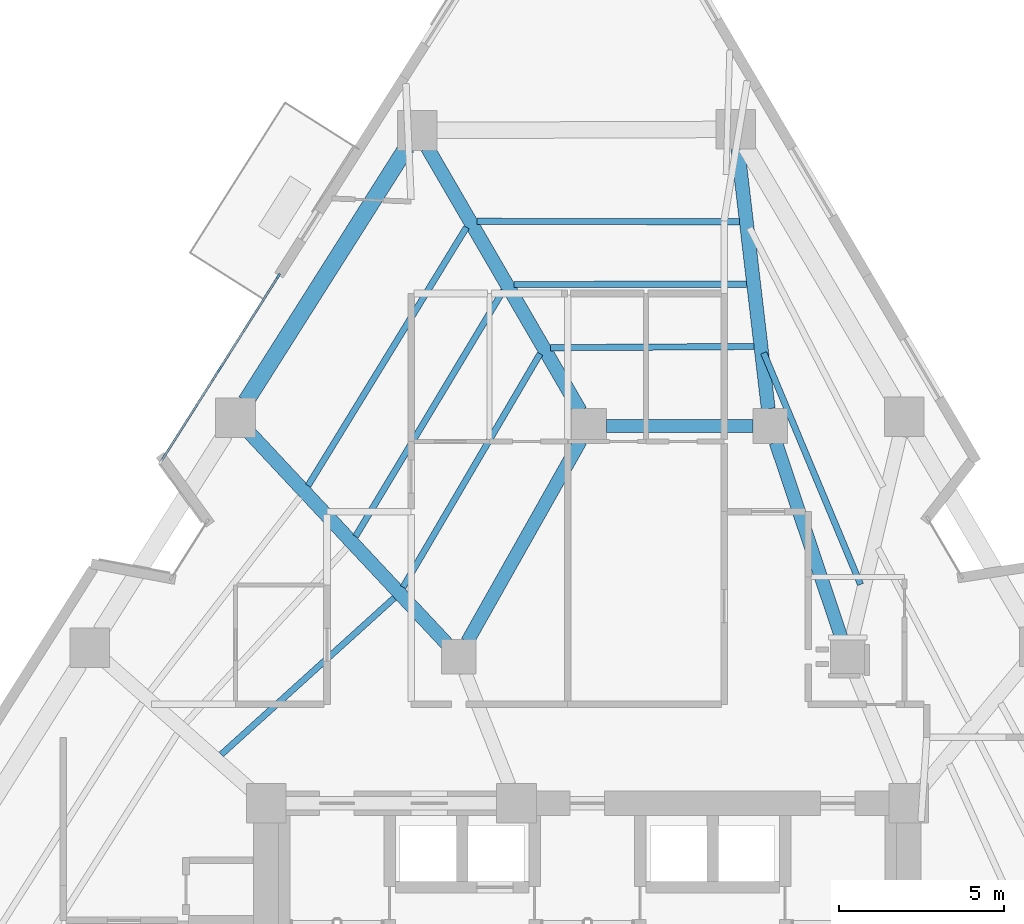
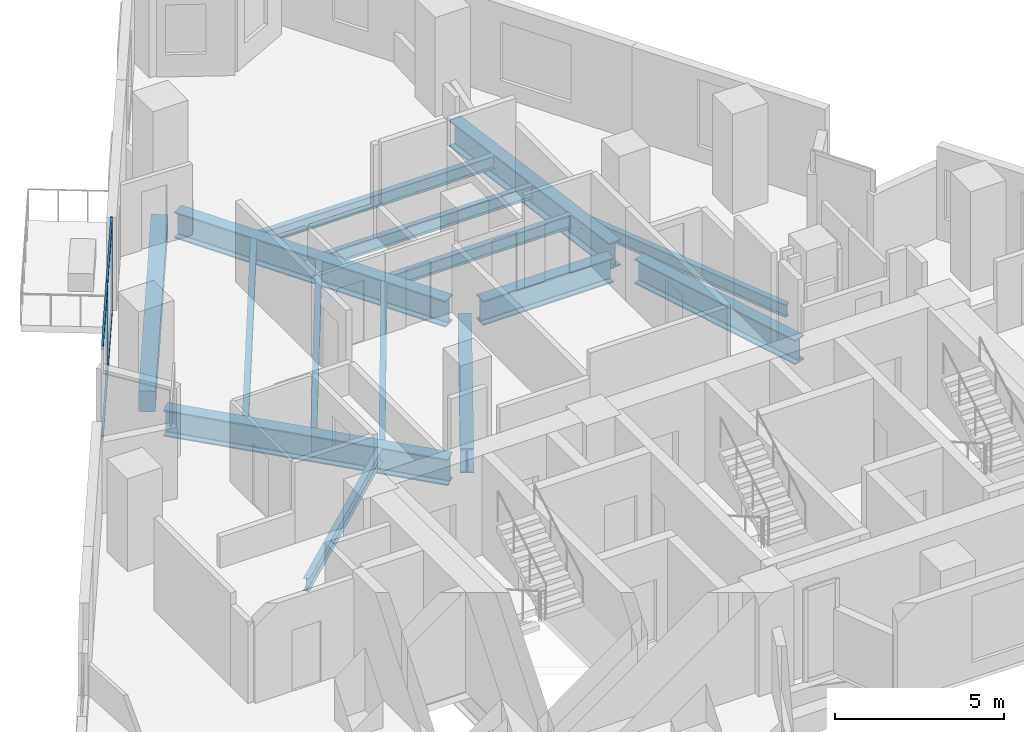
# One storey, part 3 of 11: 15 beams, 6 members, 1 element without a shape of its own.
"""IFC4 building model written with IfcOpenShell, lengths in metres."""

from ifc_helpers import new_model, si_unit, direction, frame, origin, origin_2d, place, context, subcontext, project, spatial, rectangle, i_section, extrude, material, layer, layer_set, material_profile, profile_set, type_object, element, aggregate, save


model = new_model("IFC4")

# Units and contexts
model_context = context("Model", 3, precision=1e-05, world=origin(), true_north=direction((0.0, 1.0)))
body_context = subcontext(model_context, "Body", "Model", "MODEL_VIEW")
ifc_project = project(units=[si_unit("LENGTHUNIT", "METRE"), si_unit("AREAUNIT", "SQUARE_METRE"), si_unit("VOLUMEUNIT", "CUBIC_METRE"), si_unit("PLANEANGLEUNIT", "RADIAN"), si_unit("MASSUNIT", "GRAM", prefix="KILO")], contexts=[model_context])

# Site, building, storey
site_placement = place(None, origin())
site = spatial("IfcSite", under=ifc_project, at=site_placement, CompositionType="ELEMENT")
building_placement = place(site_placement, origin())
building = spatial("IfcBuilding", under=site, at=building_placement, Name="Almagre Mirador Tower", CompositionType="ELEMENT")
storey_placement = place(building_placement, frame((0.0, 0.0, 128.39990234375)))
storey = spatial("IfcBuildingStorey", under=building, at=storey_placement, Name="L32", CompositionType="ELEMENT", Elevation=128.39990234375)

# Beams
ifc_material_1 = material(Name="Steel ASTM A992 Grade 50", Category="steel")
ifc_material_profile_1 = material_profile(ifc_material_1, i_section(OverallWidth=0.19091796875, OverallDepth=0.4599609375, WebThickness=0.010009765625, FlangeThickness=0.01611328125, FilletRadius=0.01611328125, at=origin_2d()), Name="W18X55")
ifc_profile_set_1 = profile_set([ifc_material_profile_1], Name="Steel ASTM A992 Grade 50")
beam_type_1 = type_object("IfcBeamType", Name="BM-JST-W18X55", PredefinedType="JOIST", material=ifc_profile_set_1)
beam_1_placement = place(storey_placement, frame((45.589111328125, 21.390380859375, -0.47998046875), z_axis=(-0.385893914422, 0.922543162574, 0.0), x_axis=(-0.922543162574, -0.385893914422, 0.0)))
element("IfcBeam", 1, at=beam_1_placement, inside=storey, type_object=beam_type_1, Name="L32 secondary floor joist PC07-PC08.3", PredefinedType="JOIST", context=body_context, shape_type="SweptSolid", body=[
    extrude(i_section(OverallWidth=0.19091796875, OverallDepth=0.4599609375, WebThickness=0.010009765625, FlangeThickness=0.01611328125, FilletRadius=0.01611328125, at=origin_2d()), origin(), (0.0, 0.0, 1.0), 7.617919921875),
])
beam_2_placement = place(storey_placement, frame((41.913330078125, 32.397216796875, -0.47998046875), z_axis=(-0.999998960599, 0.001441804747, 0.0), x_axis=(-0.001441804747, -0.999998960599, 0.0)))
element("IfcBeam", 2, at=beam_2_placement, inside=storey, type_object=beam_type_1, Name="L32 secondary floor joist PC08-PC09.1", PredefinedType="JOIST", context=body_context, shape_type="SweptSolid", body=[
    extrude(i_section(OverallWidth=0.19091796875, OverallDepth=0.4599609375, WebThickness=0.010009765625, FlangeThickness=0.01611328125, FilletRadius=0.01611328125, at=origin_2d()), origin(), (0.0, 0.0, 1.0), 7.95849609375),
])
beam_3_placement = place(storey_placement, frame((42.134765625, 30.504638671875, -0.47998046875), z_axis=(-0.99999819421, -0.00190041466, 0.0), x_axis=(0.00190041466, -0.99999819421, 0.0)))
element("IfcBeam", 3, at=beam_3_placement, inside=storey, type_object=beam_type_1, Name="L32 secondary floor joist PC08-PC09.2", PredefinedType="JOIST", context=body_context, shape_type="SweptSolid", body=[
    extrude(i_section(OverallWidth=0.19091796875, OverallDepth=0.4599609375, WebThickness=0.010009765625, FlangeThickness=0.01611328125, FilletRadius=0.01611328125, at=origin_2d()), origin(), (0.0, 0.0, 1.0), 7.065673828125),
])
beam_4_placement = place(storey_placement, frame((42.356201171875, 28.61181640625, -0.47998046875), z_axis=(-0.999980965144, -0.00617003641, 0.0), x_axis=(0.00617003641, -0.999980965144, 0.0)))
element("IfcBeam", 4, at=beam_4_placement, inside=storey, type_object=beam_type_1, Name="L32 secondary floor joist PC08-PC09.3", PredefinedType="JOIST", context=body_context, shape_type="SweptSolid", body=[
    extrude(i_section(OverallWidth=0.19091796875, OverallDepth=0.4599609375, WebThickness=0.010009765625, FlangeThickness=0.01611328125, FilletRadius=0.01611328125, at=origin_2d()), origin(), (0.0, 0.0, 1.0), 6.172607421875),
])
beam_5_placement = place(storey_placement, frame((33.6328125, 32.228759765625, -0.47998046875), z_axis=(-0.522787398252, -0.852463099629, 0.0), x_axis=(0.852463099629, -0.522787398252, 0.0)))
element("IfcBeam", 5, at=beam_5_placement, inside=storey, type_object=beam_type_1, Name="L32 secondary floor joist PC09-PC10.1", PredefinedType="JOIST", context=body_context, shape_type="SweptSolid", body=[
    extrude(i_section(OverallWidth=0.19091796875, OverallDepth=0.4599609375, WebThickness=0.010009765625, FlangeThickness=0.01611328125, FilletRadius=0.01611328125, at=origin_2d()), origin(), (0.0, 0.0, 1.0), 9.196044921875),
])
beam_6_placement = place(storey_placement, frame((34.748779296875, 30.309326171875, -0.47998046875), z_axis=(-0.515031881697, -0.857171021929, 0.0), x_axis=(0.857171021929, -0.515031881697, 0.0)))
element("IfcBeam", 6, at=beam_6_placement, inside=storey, type_object=beam_type_1, Name="L32 secondary floor joist PC09-PC10.2", PredefinedType="JOIST", context=body_context, shape_type="SweptSolid", body=[
    extrude(i_section(OverallWidth=0.19091796875, OverallDepth=0.4599609375, WebThickness=0.010009765625, FlangeThickness=0.01611328125, FilletRadius=0.01611328125, at=origin_2d()), origin(), (0.0, 0.0, 1.0), 8.7041015625),
])
beam_7_placement = place(storey_placement, frame((35.864990234375, 28.389892578125, -0.47998046875), z_axis=(-0.506354843964, -0.862325212431, 0.0), x_axis=(0.862325212431, -0.506354843964, 0.0)))
element("IfcBeam", 7, at=beam_7_placement, inside=storey, type_object=beam_type_1, Name="L32 secondary floor joist PC09-PC10.3", PredefinedType="JOIST", context=body_context, shape_type="SweptSolid", body=[
    extrude(i_section(OverallWidth=0.19091796875, OverallDepth=0.4599609375, WebThickness=0.010009765625, FlangeThickness=0.01611328125, FilletRadius=0.01611328125, at=origin_2d()), origin(), (0.0, 0.0, 1.0), 8.212890625),
])
beam_8_placement = place(storey_placement, frame((31.4423828125, 20.9833984375, -0.47998046875), z_axis=(-0.74150556393, -0.670946718199, 0.0), x_axis=(0.670946718199, -0.74150556393, 0.0)))
element("IfcBeam", 8, at=beam_8_placement, inside=storey, type_object=beam_type_1, Name="L32 secondary floor joist PC10-PC11.3", PredefinedType="JOIST", context=body_context, shape_type="SweptSolid", body=[
    extrude(i_section(OverallWidth=0.19091796875, OverallDepth=0.4599609375, WebThickness=0.010009765625, FlangeThickness=0.01611328125, FilletRadius=0.01611328125, at=origin_2d()), origin(), (0.0, 0.0, 1.0), 7.082763671875),
])
ifc_material_2 = material(Name="Precast concrete C50/60", Category="concrete")
ifc_material_profile_2 = material_profile(ifc_material_2, rectangle(XDim=0.5, YDim=0.75, at=origin_2d()), Name="RC500X750")
ifc_profile_set_2 = profile_set([ifc_material_profile_2], Name="Precast concrete C50/60")
beam_type_2 = type_object("IfcBeamType", Name="BM-SPN-RC500X750", PredefinedType="SPANDREL", material=ifc_profile_set_2)
beam_9_placement = place(storey_placement, frame((31.821044921875, 34.658935546875, -0.625), z_axis=(-0.534869929659, -0.844934410677, 0.0), x_axis=(0.844934410677, -0.534869929659, 0.0)))
element("IfcBeam", 9, at=beam_9_placement, inside=storey, type_object=beam_type_2, Name="L32 perimeter spandrel beam PC09-PC10", PredefinedType="SPANDREL", context=body_context, shape_type="SweptSolid", body=[
    extrude(rectangle(XDim=0.5, YDim=0.75, at=origin_2d()), origin(), (0.0, 0.0, 1.0), 9.120361328125),
])
ifc_material_3 = material(Name="Steel ASTM A992 Grade 50", Category="steel")
ifc_material_profile_3 = material_profile(ifc_material_3, i_section(OverallWidth=0.404052734375, OverallDepth=0.884033203125, WebThickness=0.0244140625, FlangeThickness=0.0439453125, FilletRadius=0.02490234375, at=origin_2d()), Name="W33X291")
ifc_profile_set_3 = profile_set([ifc_material_profile_3], Name="Steel ASTM A992 Grade 50")
beam_type_3 = type_object("IfcBeamType", Name="BM-STL-W33X291", PredefinedType="BEAM", material=ifc_profile_set_3)
beam_10_placement = place(storey_placement, frame((37.875, 26.199951171875, -0.69189453125), z_axis=(1.0, 0.0, 0.0), x_axis=(0.0, 1.0, 0.0)))
element("IfcBeam", 10, at=beam_10_placement, inside=storey, type_object=beam_type_3, Name="L32 core tie girder MC7-MC6", PredefinedType="BEAM", context=body_context, shape_type="SweptSolid", body=[
    extrude(i_section(OverallWidth=0.404052734375, OverallDepth=0.884033203125, WebThickness=0.0244140625, FlangeThickness=0.0439453125, FilletRadius=0.02490234375, at=origin_2d()), origin(), (0.0, 0.0, 1.0), 4.449951171875),
])
beam_11_placement = place(storey_placement, frame((43.01708984375, 25.702392578125, -0.69189453125), z_axis=(0.318262189587, -0.948002731367, 0.0), x_axis=(0.948002731367, 0.318262189587, 0.0)))
element("IfcBeam", 11, at=beam_11_placement, inside=storey, type_object=beam_type_3, Name="L32 core tie girder MC6-MC5", PredefinedType="BEAM", context=body_context, shape_type="SweptSolid", body=[
    extrude(i_section(OverallWidth=0.404052734375, OverallDepth=0.884033203125, WebThickness=0.0244140625, FlangeThickness=0.0439453125, FilletRadius=0.02490234375, at=origin_2d()), origin(), (0.0, 0.0, 1.0), 6.333984375),
])
beam_12_placement = place(storey_placement, frame((37.092041015625, 25.742919921875, -0.69189453125), z_axis=(-0.491443510044, -0.870909453638, 0.0), x_axis=(0.870909453638, -0.491443510044, 0.0)))
element("IfcBeam", 12, at=beam_12_placement, inside=storey, type_object=beam_type_3, Name="L32 core tie girder MC7-MC8", PredefinedType="BEAM", context=body_context, shape_type="SweptSolid", body=[
    extrude(i_section(OverallWidth=0.404052734375, OverallDepth=0.884033203125, WebThickness=0.0244140625, FlangeThickness=0.0439453125, FilletRadius=0.02490234375, at=origin_2d()), origin(), (0.0, 0.0, 1.0), 6.98779296875),
])
ifc_material_4 = material(Name="Steel ASTM A992 Grade 50", Category="steel")
ifc_material_profile_4 = material_profile(ifc_material_4, i_section(OverallWidth=0.423095703125, OverallDepth=0.947998046875, WebThickness=0.02392578125, FlangeThickness=0.042724609375, FilletRadius=0.028076171875, at=origin_2d()), Name="W36X302")
ifc_profile_set_4 = profile_set([ifc_material_profile_4], Name="Steel ASTM A992 Grade 50")
beam_type_4 = type_object("IfcBeamType", Name="BM-STL-W36X302", PredefinedType="BEAM", material=ifc_profile_set_4)
beam_13_placement = place(storey_placement, frame((41.86669921875, 34.60400390625, -0.723876953125), z_axis=(0.116220098543, -0.993223483761, 0.0), x_axis=(0.993223483761, 0.116220098543, 0.0)))
element("IfcBeam", 13, at=beam_13_placement, inside=storey, type_object=beam_type_4, Name="L32 radial floor girder PC08-MC6", PredefinedType="BEAM", context=body_context, shape_type="SweptSolid", body=[
    extrude(i_section(OverallWidth=0.423095703125, OverallDepth=0.947998046875, WebThickness=0.02392578125, FlangeThickness=0.042724609375, FilletRadius=0.028076171875, at=origin_2d()), origin(), (0.0, 0.0, 1.0), 7.936279296875),
])
beam_14_placement = place(storey_placement, frame((32.443359375, 34.647216796875, -0.723876953125), z_axis=(0.502267404593, -0.864712353493, 0.0), x_axis=(0.864712353493, 0.502267404593, 0.0)))
element("IfcBeam", 14, at=beam_14_placement, inside=storey, type_object=beam_type_4, Name="L32 radial floor girder PC09-MC7", PredefinedType="BEAM", context=body_context, shape_type="SweptSolid", body=[
    extrude(i_section(OverallWidth=0.423095703125, OverallDepth=0.947998046875, WebThickness=0.02392578125, FlangeThickness=0.042724609375, FilletRadius=0.028076171875, at=origin_2d()), origin(), (0.0, 0.0, 1.0), 9.24365234375),
])
beam_15_placement = place(storey_placement, frame((27.031982421875, 26.0078125, -0.723876953125), z_axis=(0.683137553651, -0.73028972524, 0.0), x_axis=(0.73028972524, 0.683137553651, 0.0)))
element("IfcBeam", 15, at=beam_15_placement, inside=storey, type_object=beam_type_4, Name="L32 radial floor girder PC10-MC8", PredefinedType="BEAM", context=body_context, shape_type="SweptSolid", body=[
    extrude(i_section(OverallWidth=0.423095703125, OverallDepth=0.947998046875, WebThickness=0.02392578125, FlangeThickness=0.042724609375, FilletRadius=0.028076171875, at=origin_2d()), origin(), (0.0, 0.0, 1.0), 8.796875),
])

# Curtain wall, members
ifc_material_5 = material(Name="Black anodized aluminium", Category="aluminium")
ifc_layer = layer(ifc_material_5, 0.199951171875)
ifc_layer_set = layer_set([ifc_layer], Name="Black anodized aluminium")
curtain_wall_type = type_object("IfcCurtainWallType", Name="CW-RES-H-SYS", PredefinedType="NOTDEFINED", material=ifc_layer_set)
curtain_wall_placement = place(storey_placement, origin())
curtain_wall = element("IfcCurtainWall", 16, at=curtain_wall_placement, inside=storey, type_object=curtain_wall_type, Name="L32 curtain wall run 02", PredefinedType="NOTDEFINED")
ifc_material_6 = material(Name="Black anodized aluminium", Category="aluminium")
ifc_material_profile_5 = material_profile(ifc_material_6, rectangle(XDim=0.06494140625, YDim=0.179931640625, at=origin_2d()), Name="CWM65X180")
ifc_profile_set_5 = profile_set([ifc_material_profile_5], Name="Black anodized aluminium")
member_type_1 = type_object("IfcMemberType", Name="MBR-CWM65X180", PredefinedType="MULLION", material=ifc_profile_set_5)
member_1_placement = place(storey_placement, frame((26.14013671875, 27.9287109375, 0.0), z_axis=(0.0, 0.0, 1.0), x_axis=(-0.844920075121, 0.534892574877, 0.0)))
member_1 = element("IfcMember", 17, at=member_1_placement, type_object=member_type_1, Name="CW-3 mullion 2", PredefinedType="MULLION", context=body_context, shape_type="SweptSolid", body=[
    extrude(rectangle(XDim=0.06494140625, YDim=0.179931640625, at=origin_2d()), origin(), (0.0, 0.0, 1.0), 3.35009765625),
])
member_2_placement = place(storey_placement, frame((27.922119140625, 30.7431640625, 0.0), z_axis=(0.0, 0.0, 1.0), x_axis=(-0.844920075121, 0.534892574877, 0.0)))
member_2 = element("IfcMember", 18, at=member_2_placement, type_object=member_type_1, Name="CW-3 mullion 3", PredefinedType="MULLION", context=body_context, shape_type="SweptSolid", body=[
    extrude(rectangle(XDim=0.06494140625, YDim=0.179931640625, at=origin_2d()), origin(), (0.0, 0.0, 1.0), 3.35009765625),
])
ifc_material_7 = material(Name="Black anodized aluminium", Category="aluminium")
ifc_material_profile_6 = material_profile(ifc_material_7, rectangle(XDim=0.06494140625, YDim=0.14990234375, at=origin_2d()), Name="CWT65X150")
ifc_profile_set_6 = profile_set([ifc_material_profile_6], Name="Black anodized aluminium")
member_type_2 = type_object("IfcMemberType", Name="MBR-CWT65X150", PredefinedType="USERDEFINED", material=ifc_profile_set_6)
member_3_placement = place(storey_placement, frame((24.3759765625, 25.1416015625, 0.03271484375), z_axis=(0.534861775025, 0.844939572761, 0.0), x_axis=(-0.844939572761, 0.534861775025, 0.0)))
member_3 = element("IfcMember", 19, at=member_3_placement, type_object=member_type_2, Name="CW-3 transom 1.1", ObjectType="TRANSOM", PredefinedType="USERDEFINED", context=body_context, shape_type="SweptSolid", body=[
    extrude(rectangle(XDim=0.06494140625, YDim=0.14990234375, at=origin_2d()), origin(), (0.0, 0.0, 1.0), 3.265869140625),
])
member_4_placement = place(storey_placement, frame((24.3759765625, 25.1416015625, 3.317626953125), z_axis=(0.534861775025, 0.844939572761, 0.0), x_axis=(-0.844939572761, 0.534861775025, 0.0)))
member_4 = element("IfcMember", 20, at=member_4_placement, type_object=member_type_2, Name="CW-3 transom 1.2", ObjectType="TRANSOM", PredefinedType="USERDEFINED", context=body_context, shape_type="SweptSolid", body=[
    extrude(rectangle(XDim=0.06494140625, YDim=0.14990234375, at=origin_2d()), origin(), (0.0, 0.0, 1.0), 3.265869140625),
])
member_5_placement = place(storey_placement, frame((26.15771484375, 27.9560546875, 0.03271484375), z_axis=(0.534861775025, 0.844939572761, 0.0), x_axis=(-0.844939572761, 0.534861775025, 0.0)))
member_5 = element("IfcMember", 21, at=member_5_placement, type_object=member_type_2, Name="CW-3 transom 2.1", ObjectType="TRANSOM", PredefinedType="USERDEFINED", context=body_context, shape_type="SweptSolid", body=[
    extrude(rectangle(XDim=0.06494140625, YDim=0.14990234375, at=origin_2d()), origin(), (0.0, 0.0, 1.0), 3.265869140625),
])
member_6_placement = place(storey_placement, frame((26.15771484375, 27.9560546875, 3.317626953125), z_axis=(0.534861775025, 0.844939572761, 0.0), x_axis=(-0.844939572761, 0.534861775025, 0.0)))
member_6 = element("IfcMember", 22, at=member_6_placement, type_object=member_type_2, Name="CW-3 transom 2.2", ObjectType="TRANSOM", PredefinedType="USERDEFINED", context=body_context, shape_type="SweptSolid", body=[
    extrude(rectangle(XDim=0.06494140625, YDim=0.14990234375, at=origin_2d()), origin(), (0.0, 0.0, 1.0), 3.265869140625),
])
aggregate(curtain_wall, [member_1, member_2, member_3, member_4, member_5, member_6])

save(model, "model.ifc")
